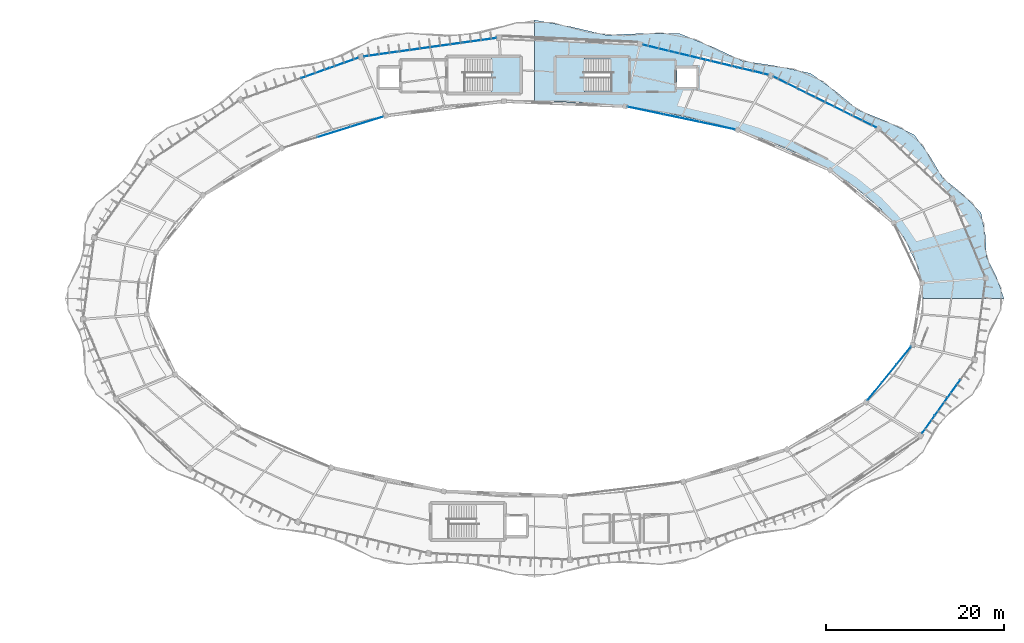
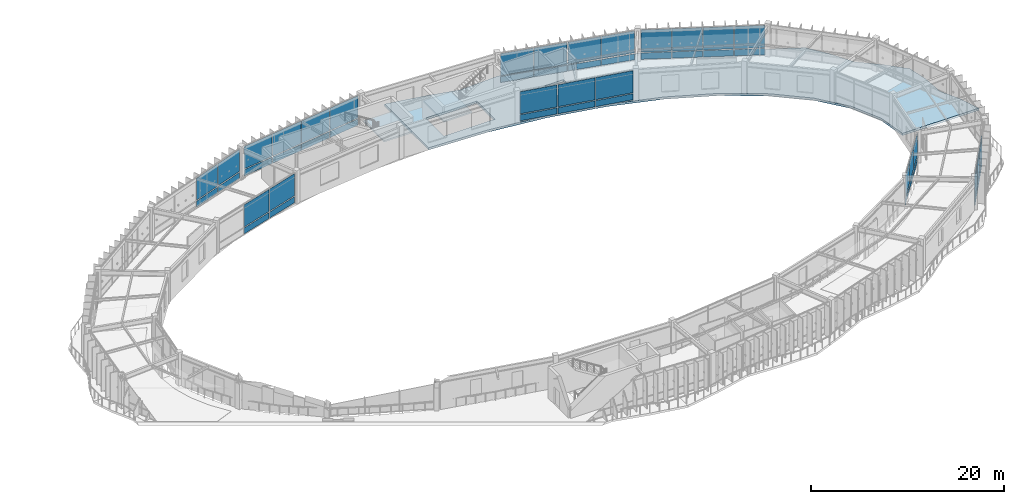
# One storey, part 64 of 83: 50 plates, 3 slabs, 10 elements without a shape of their own.
"""IFC4 building model written with IfcOpenShell, lengths in metres."""

import ifcopenshell
import ifcopenshell.guid

model = None  # the IFC model being written
_history = None  # IfcOwnerHistory: only IFC2X3 demands one
_inside = {}  # id of a spatial element -> (the spatial element, [elements in it])
_under = {}  # id of a project, library or spatial element -> (it, [spatial elements below it])
_declared = {}  # id of a project -> (the project, [libraries it declares])
_typed = {}  # id of a type object -> (the type object, [elements of that type])
_made_of = {}  # id of a material, layer set ... -> (it, [elements and type objects made of it])


def new_model(schema):
    """Start an empty IFC model of exactly this schema.

    Asked for "IFC4X3", IfcOpenShell would pick the latest addendum, in which some entities
    have other attributes; the version numbers below select the first issue.
    IFC2X3 requires an IfcOwnerHistory on every rooted entity: one is made here for all.
    """
    global model, _history
    if schema == "IFC4X3":
        model = ifcopenshell.file(schema_version=(4, 3, 0, 0))
    else:
        model = ifcopenshell.file(schema=schema)
    _inside.clear()
    _under.clear()
    _declared.clear()
    _typed.clear()
    _made_of.clear()
    _history = None
    if model.schema == "IFC2X3":
        org = make("IfcOrganization", Name="unknown")
        user = make(
            "IfcPersonAndOrganization",
            ThePerson=make("IfcPerson", FamilyName="unknown"),
            TheOrganization=org,
        )
        app = make(
            "IfcApplication",
            ApplicationDeveloper=org,
            Version="unknown",
            ApplicationFullName="unknown",
            ApplicationIdentifier="unknown",
        )
        _history = make(
            "IfcOwnerHistory",
            OwningUser=user,
            OwningApplication=app,
            ChangeAction="ADDED",
            CreationDate=0,
        )
    return model


def make(cls, **values):
    """One entity of the class cls with the attributes given. An attribute that is None is left unset."""
    return model.create_entity(
        cls, **{name: value for name, value in values.items() if value is not None}
    )


def rooted(cls, **values):
    """An entity with a GlobalId (a new one), such as an element, a storey or a relation."""
    return make(cls, GlobalId=ifcopenshell.guid.new(), OwnerHistory=_history, **values)


def si_unit(unit_type, name, prefix=None):
    """IfcSIUnit, for example si_unit("LENGTHUNIT", "METRE", prefix="MILLI")."""
    return make("IfcSIUnit", UnitType=unit_type, Prefix=prefix, Name=name)


def assignment(units):
    """IfcUnitAssignment: the units of a project."""
    return None if units is None else make("IfcUnitAssignment", Units=units)


def point(xyz):
    """IfcCartesianPoint."""
    return None if xyz is None else make("IfcCartesianPoint", Coordinates=xyz)


def direction(xyz):
    """IfcDirection."""
    return None if xyz is None else make("IfcDirection", DirectionRatios=xyz)


def frame(location, z_axis=None, x_axis=None):
    """IfcAxis2Placement3D, a coordinate frame: its origin and axes. An axis left out is left unset."""
    return make(
        "IfcAxis2Placement3D",
        Location=point(location),
        Axis=direction(z_axis),
        RefDirection=direction(x_axis),
    )


def frame_2d(location, x_axis=None):
    """IfcAxis2Placement2D, a coordinate frame in the plane: its origin and x axis."""
    return make(
        "IfcAxis2Placement2D", Location=point(location), RefDirection=direction(x_axis)
    )


def origin():
    """The frame at (0, 0, 0) with its axes left unset."""
    return frame((0.0, 0.0, 0.0))


def origin_2d():
    """The frame at (0, 0) in the plane with its x axis left unset."""
    return frame_2d((0.0, 0.0))


def place(relative_to, where):
    """IfcLocalPlacement: puts the frame where relative to a parent placement (None: the world)."""
    return make(
        "IfcLocalPlacement", PlacementRelTo=relative_to, RelativePlacement=where
    )


def context(
    kind, dimensions, precision=None, world=None, true_north=None, identifier=None
):
    """IfcGeometricRepresentationContext, for example the 3D "Model" context."""
    return make(
        "IfcGeometricRepresentationContext",
        ContextIdentifier=identifier,
        ContextType=kind,
        CoordinateSpaceDimension=dimensions,
        Precision=precision,
        WorldCoordinateSystem=world,
        TrueNorth=true_north,
    )


def subcontext(parent, identifier, kind, view, scale=None):
    """IfcGeometricRepresentationSubContext, for example "Body" below "Model"."""
    return make(
        "IfcGeometricRepresentationSubContext",
        ContextIdentifier=identifier,
        ContextType=kind,
        ParentContext=parent,
        TargetScale=scale,
        TargetView=view,
    )


def project(units=None, contexts=None):
    """IfcProject with its units and contexts."""
    return rooted(
        "IfcProject",
        Name="project",
        RepresentationContexts=contexts,
        UnitsInContext=assignment(units),
    )


def spatial(cls, under=None, at=None, **own):
    """A site, building, storey or space (cls), placed at a placement, below another one or the project."""
    s = rooted(cls, ObjectPlacement=at, **own)
    if under is not None:
        _under.setdefault(under.id(), (under, []))[1].append(s)
    return s


def polyline(points):
    """IfcPolyline through the points."""
    return make("IfcPolyline", Points=[point(p) for p in points])


def profile(cls, at=None, kind="AREA", **sizes):
    """A parametric profile (cls). Its sizes go by their IFC names, for example OverallWidth=200.0."""
    return make(cls, ProfileType=kind, Position=at, **sizes)


def rectangle(**sizes):
    """IfcRectangleProfileDef."""
    return profile("IfcRectangleProfileDef", **sizes)


def outline(outer, holes=None, kind="AREA"):
    """IfcArbitraryClosedProfileDef: a profile drawn as a closed curve; with holes, ...WithVoids."""
    if holes is None:
        return make("IfcArbitraryClosedProfileDef", ProfileType=kind, OuterCurve=outer)
    return make(
        "IfcArbitraryProfileDefWithVoids",
        ProfileType=kind,
        OuterCurve=outer,
        InnerCurves=holes,
    )


def extrude(swept, where, along, depth):
    """IfcExtrudedAreaSolid: the profile swept, set in the frame where, extruded along a direction by depth."""
    return make(
        "IfcExtrudedAreaSolid",
        SweptArea=swept,
        Position=where,
        ExtrudedDirection=direction(along),
        Depth=depth,
    )


def shape(context_of_items, identifier, shape_type, items):
    """IfcShapeRepresentation: the items that make up one representation, for example the "Body"."""
    return make(
        "IfcShapeRepresentation",
        ContextOfItems=context_of_items,
        RepresentationIdentifier=identifier,
        RepresentationType=shape_type,
        Items=items,
    )


def material(Name=None, Category=None):
    """IfcMaterial."""
    return make("IfcMaterial", Name=Name, Category=Category)


def layer(
    of_material, thickness, ventilated=None, Name=None, Category=None, Priority=None
):
    """IfcMaterialLayer: one layer of a wall or slab, of a material (None: an air gap)."""
    return make(
        "IfcMaterialLayer",
        Material=of_material,
        LayerThickness=thickness,
        IsVentilated=ventilated,
        Name=Name,
        Category=Category,
        Priority=Priority,
    )


def layer_set(layers, Name=None):
    """IfcMaterialLayerSet."""
    return make("IfcMaterialLayerSet", MaterialLayers=layers, LayerSetName=Name)


def made_of(thing, what):
    """Note that an element or type object is made of a material, layer set ...; save() writes the relation."""
    if what is not None:
        _made_of.setdefault(what.id(), (what, []))[1].append(thing)
    return thing


def type_object(cls, material=None, **own):
    """A type object (cls), such as IfcWallType, which elements share."""
    return made_of(rooted(cls, **own), material)


def element(
    cls,
    number,
    at=None,
    inside=None,
    cuts=None,
    type_object=None,
    material=None,
    context=None,
    identifier="Body",
    shape_type=None,
    held_by="IfcProductDefinitionShape",
    body=None,
    shapes=None,
    **own,
):
    """One element of the class cls, such as IfcWall. Its Tag is "e" and its number.

    at: its placement. inside: the storey or other place that contains it. cuts: it is an
    opening in that element (IfcRelVoidsElement). A single representation is given by context,
    identifier, shape_type and body (its items); several are given by shapes. held_by: the class
    of the entity that holds the representations. save() writes the other relations.
    """
    e = rooted(cls, Tag="e%d" % number, ObjectPlacement=at, **own)
    if body is not None:
        shapes = [shape(context, identifier, shape_type, body)]
    if shapes is not None:
        e.Representation = make(held_by, Representations=shapes)
    if inside is not None:
        _inside.setdefault(inside.id(), (inside, []))[1].append(e)
    if cuts is not None:
        rooted(
            "IfcRelVoidsElement", RelatingBuildingElement=cuts, RelatedOpeningElement=e
        )
    if type_object is not None:
        _typed.setdefault(type_object.id(), (type_object, []))[1].append(e)
    return made_of(e, material)


def aggregate(whole, parts):
    """IfcRelAggregates: a whole, such as a stair, and the parts it consists of."""
    return rooted("IfcRelAggregates", RelatingObject=whole, RelatedObjects=parts)


def save(model, path):
    """Write the relations noted so far, then the file.

    IfcRelAggregates (storeys below a building ...), IfcRelContainedInSpatialStructure (elements
    in a storey), IfcRelDefinesByType, IfcRelAssociatesMaterial and IfcRelDeclares: one each for
    every whole, place, type object, material and project.
    """
    for whole, parts in _under.values():
        aggregate(whole, parts)
    for where, things in _inside.values():
        rooted(
            "IfcRelContainedInSpatialStructure",
            RelatedElements=things,
            RelatingStructure=where,
        )
    for kind, things in _typed.values():
        rooted("IfcRelDefinesByType", RelatedObjects=things, RelatingType=kind)
    for what, things in _made_of.values():
        rooted("IfcRelAssociatesMaterial", RelatedObjects=things, RelatingMaterial=what)
    for by, libraries in _declared.values():
        rooted("IfcRelDeclares", RelatingContext=by, RelatedDefinitions=libraries)
    model.write(path)


model = new_model("IFC4")

# Units and contexts
model_context = context("Model", 3, precision=1e-05, world=origin(), true_north=direction((0.0, 1.0)))
body_context = subcontext(model_context, "Body", "Model", "MODEL_VIEW")
ifc_project = project(units=[si_unit("LENGTHUNIT", "METRE"), si_unit("AREAUNIT", "SQUARE_METRE"), si_unit("VOLUMEUNIT", "CUBIC_METRE"), si_unit("PLANEANGLEUNIT", "RADIAN"), si_unit("MASSUNIT", "GRAM", prefix="KILO"), si_unit("THERMODYNAMICTEMPERATUREUNIT", "KELVIN"), si_unit("POWERUNIT", "WATT")], contexts=[model_context])

# Site, building, storey
site_placement = place(None, origin())
site = spatial("IfcSite", under=ifc_project, at=site_placement, CompositionType="ELEMENT")
building_placement = place(site_placement, origin())
building = spatial("IfcBuilding", under=site, at=building_placement, Name="Darbajah Civic Hall", CompositionType="ELEMENT")
storey_placement = place(building_placement, frame((0.0, 0.0, 18.0)))
storey = spatial("IfcBuildingStorey", under=building, at=storey_placement, Name="L04", CompositionType="ELEMENT", Elevation=18.0)

# Curtain wall, plates
ifc_material_1 = material(Name="Anodised Bronze Aluminium and Low-E Glazing", Category="aluminium")
curtain_wall_type_1 = type_object("IfcCurtainWallType", Name="Unitised Curtain Wall CW-56 12900x3900", PredefinedType="USERDEFINED", material=ifc_material_1)
curtain_wall_1_placement = place(storey_placement, origin())
curtain_wall_1 = element("IfcCurtainWall", 1, at=curtain_wall_1_placement, inside=storey, type_object=curtain_wall_type_1, Name="L04 unitised curtain wall CW-V1O-L04-02", ObjectType="UNITISED CURTAIN WALL", PredefinedType="USERDEFINED")
ifc_material_2 = material(Name="Low-E Solar Control Double Glazing", Category="glass")
ifc_layer_1 = layer(ifc_material_2, 0.02392578125, Name="Low-E Solar Control Double Glazing")
ifc_layer_set_1 = layer_set([ifc_layer_1], Name="Low-E Solar Control Double Glazing")
plate_type_1 = type_object("IfcPlateType", Name="Solar Double Glazing 24mm", PredefinedType="CURTAIN_PANEL", material=ifc_layer_set_1)
plate_1_placement = place(storey_placement, frame((126.160888671875, 109.808349609375, 0.10009765625), z_axis=(0.0, 0.0, 1.0), x_axis=(-0.89656374724, 0.442914717678, 0.0)))
plate_1 = element("IfcPlate", 2, at=plate_1_placement, type_object=plate_type_1, Name="CW-V1O-L04-02 glazed panel 1.1", PredefinedType="CURTAIN_PANEL", context=body_context, shape_type="SweptSolid", body=[
    extrude(rectangle(XDim=3.167236328125, YDim=0.02392578125, at=origin_2d()), origin(), (0.0, 0.0, 1.0), 0.800048828125),
])
plate_2_placement = place(storey_placement, frame((126.160888671875, 109.808349609375, 1.0), z_axis=(0.0, 0.0, 1.0), x_axis=(-0.89656374724, 0.442914717678, 0.0)))
plate_2 = element("IfcPlate", 3, at=plate_2_placement, type_object=plate_type_1, Name="CW-V1O-L04-02 glazed panel 1.2", PredefinedType="CURTAIN_PANEL", context=body_context, shape_type="SweptSolid", body=[
    extrude(rectangle(XDim=3.167236328125, YDim=0.02392578125, at=origin_2d()), origin(), (0.0, 0.0, 1.0), 2.820068359375),
])
plate_3_placement = place(storey_placement, frame((123.262939453125, 111.239990234375, 0.10009765625), z_axis=(0.0, 0.0, 1.0), x_axis=(-0.89656374724, 0.442914717678, 0.0)))
plate_3 = element("IfcPlate", 4, at=plate_3_placement, type_object=plate_type_1, Name="CW-V1O-L04-02 glazed panel 2.1", PredefinedType="CURTAIN_PANEL", context=body_context, shape_type="SweptSolid", body=[
    extrude(rectangle(XDim=3.167236328125, YDim=0.02392578125, at=origin_2d()), origin(), (0.0, 0.0, 1.0), 0.800048828125),
])
plate_4_placement = place(storey_placement, frame((123.262939453125, 111.239990234375, 1.0), z_axis=(0.0, 0.0, 1.0), x_axis=(-0.89656374724, 0.442914717678, 0.0)))
plate_4 = element("IfcPlate", 5, at=plate_4_placement, type_object=plate_type_1, Name="CW-V1O-L04-02 glazed panel 2.2", PredefinedType="CURTAIN_PANEL", context=body_context, shape_type="SweptSolid", body=[
    extrude(rectangle(XDim=3.167236328125, YDim=0.02392578125, at=origin_2d()), origin(), (0.0, 0.0, 1.0), 2.820068359375),
])
plate_5_placement = place(storey_placement, frame((120.364990234375, 112.671630859375, 0.10009765625), z_axis=(0.0, 0.0, 1.0), x_axis=(-0.89656374724, 0.442914717678, 0.0)))
plate_5 = element("IfcPlate", 6, at=plate_5_placement, type_object=plate_type_1, Name="CW-V1O-L04-02 glazed panel 3.1", PredefinedType="CURTAIN_PANEL", context=body_context, shape_type="SweptSolid", body=[
    extrude(rectangle(XDim=3.167236328125, YDim=0.02392578125, at=origin_2d()), origin(), (0.0, 0.0, 1.0), 0.800048828125),
])
plate_6_placement = place(storey_placement, frame((120.364990234375, 112.671630859375, 1.0), z_axis=(0.0, 0.0, 1.0), x_axis=(-0.89656374724, 0.442914717678, 0.0)))
plate_6 = element("IfcPlate", 7, at=plate_6_placement, type_object=plate_type_1, Name="CW-V1O-L04-02 glazed panel 3.2", PredefinedType="CURTAIN_PANEL", context=body_context, shape_type="SweptSolid", body=[
    extrude(rectangle(XDim=3.167236328125, YDim=0.02392578125, at=origin_2d()), origin(), (0.0, 0.0, 1.0), 2.820068359375),
])
plate_7_placement = place(storey_placement, frame((117.46728515625, 114.103271484375, 0.10009765625), z_axis=(0.0, 0.0, 1.0), x_axis=(-0.89656374724, 0.442914717678, 0.0)))
plate_7 = element("IfcPlate", 8, at=plate_7_placement, type_object=plate_type_1, Name="CW-V1O-L04-02 glazed panel 4.1", PredefinedType="CURTAIN_PANEL", context=body_context, shape_type="SweptSolid", body=[
    extrude(rectangle(XDim=3.167236328125, YDim=0.02392578125, at=origin_2d()), origin(), (0.0, 0.0, 1.0), 0.800048828125),
])
plate_8_placement = place(storey_placement, frame((117.46728515625, 114.103271484375, 1.0), z_axis=(0.0, 0.0, 1.0), x_axis=(-0.89656374724, 0.442914717678, 0.0)))
plate_8 = element("IfcPlate", 9, at=plate_8_placement, type_object=plate_type_1, Name="CW-V1O-L04-02 glazed panel 4.2", PredefinedType="CURTAIN_PANEL", context=body_context, shape_type="SweptSolid", body=[
    extrude(rectangle(XDim=3.167236328125, YDim=0.02392578125, at=origin_2d()), origin(), (0.0, 0.0, 1.0), 2.820068359375),
])
aggregate(curtain_wall_1, [plate_1, plate_2, plate_3, plate_4, plate_5, plate_6, plate_7, plate_8])

curtain_wall_type_2 = type_object("IfcCurtainWallType", Name="Unitised Curtain Wall CW-66 15100x3900", PredefinedType="USERDEFINED", material=ifc_material_1)
curtain_wall_2_placement = place(storey_placement, origin())
curtain_wall_2 = element("IfcCurtainWall", 10, at=curtain_wall_2_placement, inside=storey, type_object=curtain_wall_type_2, Name="L04 unitised curtain wall CW-V1O-L04-05", ObjectType="UNITISED CURTAIN WALL", PredefinedType="USERDEFINED")
plate_9_placement = place(storey_placement, frame((82.934814453125, 118.90869140625, 0.10009765625), z_axis=(0.0, 0.0, 1.0), x_axis=(-0.990485459553, -0.137617420457, 0.0)))
plate_9 = element("IfcPlate", 11, at=plate_9_placement, type_object=plate_type_1, Name="CW-V1O-L04-05 glazed panel 1.1", PredefinedType="CURTAIN_PANEL", context=body_context, shape_type="SweptSolid", body=[
    extrude(rectangle(XDim=3.7001953125, YDim=0.02392578125, at=origin_2d()), origin(), (0.0, 0.0, 1.0), 0.800048828125),
])
plate_10_placement = place(storey_placement, frame((82.934814453125, 118.90869140625, 1.0), z_axis=(0.0, 0.0, 1.0), x_axis=(-0.990485459553, -0.137617420457, 0.0)))
plate_10 = element("IfcPlate", 12, at=plate_10_placement, type_object=plate_type_1, Name="CW-V1O-L04-05 glazed panel 1.2", PredefinedType="CURTAIN_PANEL", context=body_context, shape_type="SweptSolid", body=[
    extrude(rectangle(XDim=3.7001953125, YDim=0.02392578125, at=origin_2d()), origin(), (0.0, 0.0, 1.0), 2.820068359375),
])
plate_11_placement = place(storey_placement, frame((79.20556640625, 118.390625, 0.10009765625), z_axis=(0.0, 0.0, 1.0), x_axis=(-0.990485459553, -0.137617420457, 0.0)))
plate_11 = element("IfcPlate", 13, at=plate_11_placement, type_object=plate_type_1, Name="CW-V1O-L04-05 glazed panel 2.1", PredefinedType="CURTAIN_PANEL", context=body_context, shape_type="SweptSolid", body=[
    extrude(rectangle(XDim=3.7001953125, YDim=0.02392578125, at=origin_2d()), origin(), (0.0, 0.0, 1.0), 0.800048828125),
])
plate_12_placement = place(storey_placement, frame((79.20556640625, 118.390625, 1.0), z_axis=(0.0, 0.0, 1.0), x_axis=(-0.990485459553, -0.137617420457, 0.0)))
plate_12 = element("IfcPlate", 14, at=plate_12_placement, type_object=plate_type_1, Name="CW-V1O-L04-05 glazed panel 2.2", PredefinedType="CURTAIN_PANEL", context=body_context, shape_type="SweptSolid", body=[
    extrude(rectangle(XDim=3.7001953125, YDim=0.02392578125, at=origin_2d()), origin(), (0.0, 0.0, 1.0), 2.820068359375),
])
plate_13_placement = place(storey_placement, frame((75.476318359375, 117.872802734375, 0.10009765625), z_axis=(0.0, 0.0, 1.0), x_axis=(-0.990485459553, -0.137617420457, 0.0)))
plate_13 = element("IfcPlate", 15, at=plate_13_placement, type_object=plate_type_1, Name="CW-V1O-L04-05 glazed panel 3.1", PredefinedType="CURTAIN_PANEL", context=body_context, shape_type="SweptSolid", body=[
    extrude(rectangle(XDim=3.7001953125, YDim=0.02392578125, at=origin_2d()), origin(), (0.0, 0.0, 1.0), 0.800048828125),
])
plate_14_placement = place(storey_placement, frame((75.476318359375, 117.872802734375, 1.0), z_axis=(0.0, 0.0, 1.0), x_axis=(-0.990485459553, -0.137617420457, 0.0)))
plate_14 = element("IfcPlate", 16, at=plate_14_placement, type_object=plate_type_1, Name="CW-V1O-L04-05 glazed panel 3.2", PredefinedType="CURTAIN_PANEL", context=body_context, shape_type="SweptSolid", body=[
    extrude(rectangle(XDim=3.7001953125, YDim=0.02392578125, at=origin_2d()), origin(), (0.0, 0.0, 1.0), 2.820068359375),
])
plate_15_placement = place(storey_placement, frame((71.746826171875, 117.35498046875, 0.10009765625), z_axis=(0.0, 0.0, 1.0), x_axis=(-0.990485459553, -0.137617420457, 0.0)))
plate_15 = element("IfcPlate", 17, at=plate_15_placement, type_object=plate_type_1, Name="CW-V1O-L04-05 glazed panel 4.1", PredefinedType="CURTAIN_PANEL", context=body_context, shape_type="SweptSolid", body=[
    extrude(rectangle(XDim=3.7001953125, YDim=0.02392578125, at=origin_2d()), origin(), (0.0, 0.0, 1.0), 0.800048828125),
])
plate_16_placement = place(storey_placement, frame((71.746826171875, 117.35498046875, 1.0), z_axis=(0.0, 0.0, 1.0), x_axis=(-0.990485459553, -0.137617420457, 0.0)))
plate_16 = element("IfcPlate", 18, at=plate_16_placement, type_object=plate_type_1, Name="CW-V1O-L04-05 glazed panel 4.2", PredefinedType="CURTAIN_PANEL", context=body_context, shape_type="SweptSolid", body=[
    extrude(rectangle(XDim=3.7001953125, YDim=0.02392578125, at=origin_2d()), origin(), (0.0, 0.0, 1.0), 2.820068359375),
])
aggregate(curtain_wall_2, [plate_9, plate_10, plate_11, plate_12, plate_13, plate_14, plate_15, plate_16])

curtain_wall_type_3 = type_object("IfcCurtainWallType", Name="Unitised Curtain Wall CW-65 12400x3900", PredefinedType="USERDEFINED", material=ifc_material_1)
curtain_wall_3_placement = place(storey_placement, origin())
curtain_wall_3 = element("IfcCurtainWall", 19, at=curtain_wall_3_placement, inside=storey, type_object=curtain_wall_type_3, Name="L04 unitised curtain wall CW-V1I-L04-03", ObjectType="UNITISED CURTAIN WALL", PredefinedType="USERDEFINED")
ifc_layer_2 = layer(ifc_material_2, 0.028076171875, Name="Low-E Solar Control Double Glazing")
ifc_layer_set_2 = layer_set([ifc_layer_2], Name="Low-E Solar Control Double Glazing")
plate_type_2 = type_object("IfcPlateType", Name="Solar Double Glazing 28mm", PredefinedType="CURTAIN_PANEL", material=ifc_layer_set_2)
plate_17_placement = place(storey_placement, frame((109.694580078125, 109.297119140625, 0.119873046875), z_axis=(0.0, 0.0, 1.0), x_axis=(-0.978472980779, 0.206374964291, 0.0)))
plate_17 = element("IfcPlate", 20, at=plate_17_placement, type_object=plate_type_2, Name="CW-V1I-L04-03 glazed panel 1.1", PredefinedType="CURTAIN_PANEL", context=body_context, shape_type="SweptSolid", body=[
    extrude(rectangle(XDim=4.058349609375, YDim=0.028076171875, at=origin_2d()), origin(), (0.0, 0.0, 1.0), 0.77001953125),
])
plate_18_placement = place(storey_placement, frame((109.694580078125, 109.297119140625, 1.010009765625), z_axis=(0.0, 0.0, 1.0), x_axis=(-0.978472980779, 0.206374964291, 0.0)))
plate_18 = element("IfcPlate", 21, at=plate_18_placement, type_object=plate_type_2, Name="CW-V1I-L04-03 glazed panel 1.2", PredefinedType="CURTAIN_PANEL", context=body_context, shape_type="SweptSolid", body=[
    extrude(rectangle(XDim=4.058349609375, YDim=0.028076171875, at=origin_2d()), origin(), (0.0, 0.0, 1.0), 2.7900390625),
])
plate_19_placement = place(storey_placement, frame((105.655029296875, 110.148681640625, 0.119873046875), z_axis=(0.0, 0.0, 1.0), x_axis=(-0.978472980779, 0.206374964291, 0.0)))
plate_19 = element("IfcPlate", 22, at=plate_19_placement, type_object=plate_type_2, Name="CW-V1I-L04-03 glazed panel 2.1", PredefinedType="CURTAIN_PANEL", context=body_context, shape_type="SweptSolid", body=[
    extrude(rectangle(XDim=4.058349609375, YDim=0.028076171875, at=origin_2d()), origin(), (0.0, 0.0, 1.0), 0.77001953125),
])
plate_20_placement = place(storey_placement, frame((105.655029296875, 110.148681640625, 1.010009765625), z_axis=(0.0, 0.0, 1.0), x_axis=(-0.978472980779, 0.206374964291, 0.0)))
plate_20 = element("IfcPlate", 23, at=plate_20_placement, type_object=plate_type_2, Name="CW-V1I-L04-03 glazed panel 2.2", PredefinedType="CURTAIN_PANEL", context=body_context, shape_type="SweptSolid", body=[
    extrude(rectangle(XDim=4.058349609375, YDim=0.028076171875, at=origin_2d()), origin(), (0.0, 0.0, 1.0), 2.7900390625),
])
plate_21_placement = place(storey_placement, frame((101.61572265625, 111.000732421875, 0.119873046875), z_axis=(0.0, 0.0, 1.0), x_axis=(-0.978472980779, 0.206374964291, 0.0)))
plate_21 = element("IfcPlate", 24, at=plate_21_placement, type_object=plate_type_2, Name="CW-V1I-L04-03 glazed panel 3.1", PredefinedType="CURTAIN_PANEL", context=body_context, shape_type="SweptSolid", body=[
    extrude(rectangle(XDim=4.058349609375, YDim=0.028076171875, at=origin_2d()), origin(), (0.0, 0.0, 1.0), 0.77001953125),
])
plate_22_placement = place(storey_placement, frame((101.61572265625, 111.000732421875, 1.010009765625), z_axis=(0.0, 0.0, 1.0), x_axis=(-0.978472980779, 0.206374964291, 0.0)))
plate_22 = element("IfcPlate", 25, at=plate_22_placement, type_object=plate_type_2, Name="CW-V1I-L04-03 glazed panel 3.2", PredefinedType="CURTAIN_PANEL", context=body_context, shape_type="SweptSolid", body=[
    extrude(rectangle(XDim=4.058349609375, YDim=0.028076171875, at=origin_2d()), origin(), (0.0, 0.0, 1.0), 2.7900390625),
])
aggregate(curtain_wall_3, [plate_17, plate_18, plate_19, plate_20, plate_21, plate_22])

curtain_wall_type_4 = type_object("IfcCurtainWallType", Name="Unitised Curtain Wall CW-67 11700x3900", PredefinedType="USERDEFINED", material=ifc_material_1)
curtain_wall_4_placement = place(storey_placement, origin())
curtain_wall_4 = element("IfcCurtainWall", 26, at=curtain_wall_4_placement, inside=storey, type_object=curtain_wall_type_4, Name="L04 unitised curtain wall CW-V1I-L04-06", ObjectType="UNITISED CURTAIN WALL", PredefinedType="USERDEFINED")
plate_23_placement = place(storey_placement, frame((70.21484375, 109.739990234375, 0.119873046875), z_axis=(0.0, 0.0, 1.0), x_axis=(-0.954604963513, -0.297874744877, 0.0)))
plate_23 = element("IfcPlate", 27, at=plate_23_placement, type_object=plate_type_2, Name="CW-V1I-L04-06 glazed panel 1.1", PredefinedType="CURTAIN_PANEL", context=body_context, shape_type="SweptSolid", body=[
    extrude(rectangle(XDim=3.8251953125, YDim=0.028076171875, at=origin_2d()), origin(), (0.0, 0.0, 1.0), 0.77001953125),
])
plate_24_placement = place(storey_placement, frame((70.21484375, 109.739990234375, 1.010009765625), z_axis=(0.0, 0.0, 1.0), x_axis=(-0.954604963513, -0.297874744877, 0.0)))
plate_24 = element("IfcPlate", 28, at=plate_24_placement, type_object=plate_type_2, Name="CW-V1I-L04-06 glazed panel 1.2", PredefinedType="CURTAIN_PANEL", context=body_context, shape_type="SweptSolid", body=[
    extrude(rectangle(XDim=3.8251953125, YDim=0.028076171875, at=origin_2d()), origin(), (0.0, 0.0, 1.0), 2.7900390625),
])
plate_25_placement = place(storey_placement, frame((66.496337890625, 108.579833984375, 0.119873046875), z_axis=(0.0, 0.0, 1.0), x_axis=(-0.954604963513, -0.297874744877, 0.0)))
plate_25 = element("IfcPlate", 29, at=plate_25_placement, type_object=plate_type_2, Name="CW-V1I-L04-06 glazed panel 2.1", PredefinedType="CURTAIN_PANEL", context=body_context, shape_type="SweptSolid", body=[
    extrude(rectangle(XDim=3.8251953125, YDim=0.028076171875, at=origin_2d()), origin(), (0.0, 0.0, 1.0), 0.77001953125),
])
plate_26_placement = place(storey_placement, frame((66.496337890625, 108.579833984375, 1.010009765625), z_axis=(0.0, 0.0, 1.0), x_axis=(-0.954604963513, -0.297874744877, 0.0)))
plate_26 = element("IfcPlate", 30, at=plate_26_placement, type_object=plate_type_2, Name="CW-V1I-L04-06 glazed panel 2.2", PredefinedType="CURTAIN_PANEL", context=body_context, shape_type="SweptSolid", body=[
    extrude(rectangle(XDim=3.8251953125, YDim=0.028076171875, at=origin_2d()), origin(), (0.0, 0.0, 1.0), 2.7900390625),
])
aggregate(curtain_wall_4, [plate_23, plate_24, plate_25, plate_26])

curtain_wall_type_5 = type_object("IfcCurtainWallType", Name="Unitised Curtain Wall CW-75 7800x3900", PredefinedType="USERDEFINED", material=ifc_material_1)
curtain_wall_5_placement = place(storey_placement, origin())
curtain_wall_5 = element("IfcCurtainWall", 31, at=curtain_wall_5_placement, inside=storey, type_object=curtain_wall_type_5, Name="L04 unitised curtain wall CW-V1I-L04-18", ObjectType="UNITISED CURTAIN WALL", PredefinedType="USERDEFINED")
plate_27_placement = place(storey_placement, frame((127.43603515625, 79.36572265625, 0.119873046875), z_axis=(0.0, 0.0, 1.0), x_axis=(0.63108205791, 0.775716079622, 0.0)))
plate_27 = element("IfcPlate", 32, at=plate_27_placement, type_object=plate_type_2, Name="CW-V1I-L04-18 glazed panel 1.1", PredefinedType="CURTAIN_PANEL", context=body_context, shape_type="SweptSolid", body=[
    extrude(rectangle(XDim=2.51513671875, YDim=0.028076171875, at=origin_2d()), origin(), (0.0, 0.0, 1.0), 0.77001953125),
])
plate_28_placement = place(storey_placement, frame((127.43603515625, 79.36572265625, 1.010009765625), z_axis=(0.0, 0.0, 1.0), x_axis=(0.63108205791, 0.775716079622, 0.0)))
plate_28 = element("IfcPlate", 33, at=plate_28_placement, type_object=plate_type_2, Name="CW-V1I-L04-18 glazed panel 1.2", PredefinedType="CURTAIN_PANEL", context=body_context, shape_type="SweptSolid", body=[
    extrude(rectangle(XDim=2.51513671875, YDim=0.028076171875, at=origin_2d()), origin(), (0.0, 0.0, 1.0), 2.7900390625),
])
plate_29_placement = place(storey_placement, frame((129.067626953125, 81.371337890625, 0.119873046875), z_axis=(0.0, 0.0, 1.0), x_axis=(0.63108205791, 0.775716079622, 0.0)))
plate_29 = element("IfcPlate", 34, at=plate_29_placement, type_object=plate_type_2, Name="CW-V1I-L04-18 glazed panel 2.1", PredefinedType="CURTAIN_PANEL", context=body_context, shape_type="SweptSolid", body=[
    extrude(rectangle(XDim=2.51513671875, YDim=0.028076171875, at=origin_2d()), origin(), (0.0, 0.0, 1.0), 0.77001953125),
])
plate_30_placement = place(storey_placement, frame((129.067626953125, 81.371337890625, 1.010009765625), z_axis=(0.0, 0.0, 1.0), x_axis=(0.63108205791, 0.775716079622, 0.0)))
plate_30 = element("IfcPlate", 35, at=plate_30_placement, type_object=plate_type_2, Name="CW-V1I-L04-18 glazed panel 2.2", PredefinedType="CURTAIN_PANEL", context=body_context, shape_type="SweptSolid", body=[
    extrude(rectangle(XDim=2.51513671875, YDim=0.028076171875, at=origin_2d()), origin(), (0.0, 0.0, 1.0), 2.7900390625),
])
plate_31_placement = place(storey_placement, frame((130.69921875, 83.376708984375, 0.119873046875), z_axis=(0.0, 0.0, 1.0), x_axis=(0.63108205791, 0.775716079622, 0.0)))
plate_31 = element("IfcPlate", 36, at=plate_31_placement, type_object=plate_type_2, Name="CW-V1I-L04-18 glazed panel 3.1", PredefinedType="CURTAIN_PANEL", context=body_context, shape_type="SweptSolid", body=[
    extrude(rectangle(XDim=2.51513671875, YDim=0.028076171875, at=origin_2d()), origin(), (0.0, 0.0, 1.0), 0.77001953125),
])
plate_32_placement = place(storey_placement, frame((130.69921875, 83.376708984375, 1.010009765625), z_axis=(0.0, 0.0, 1.0), x_axis=(0.63108205791, 0.775716079622, 0.0)))
plate_32 = element("IfcPlate", 37, at=plate_32_placement, type_object=plate_type_2, Name="CW-V1I-L04-18 glazed panel 3.2", PredefinedType="CURTAIN_PANEL", context=body_context, shape_type="SweptSolid", body=[
    extrude(rectangle(XDim=2.51513671875, YDim=0.028076171875, at=origin_2d()), origin(), (0.0, 0.0, 1.0), 2.7900390625),
])
aggregate(curtain_wall_5, [plate_27, plate_28, plate_29, plate_30, plate_31, plate_32])

curtain_wall_type_6 = type_object("IfcCurtainWallType", Name="Unitised Curtain Wall CW-64 14600x3900", PredefinedType="USERDEFINED", material=ifc_material_1)
curtain_wall_6_placement = place(storey_placement, origin())
curtain_wall_6 = element("IfcCurtainWall", 38, at=curtain_wall_6_placement, inside=storey, type_object=curtain_wall_type_6, Name="L04 unitised curtain wall CW-V1O-L04-03", ObjectType="UNITISED CURTAIN WALL", PredefinedType="USERDEFINED")
ifc_layer_3 = layer(ifc_material_2, 0.031982421875, Name="Low-E Solar Control Double Glazing")
ifc_layer_set_3 = layer_set([ifc_layer_3], Name="Low-E Solar Control Double Glazing")
plate_type_3 = type_object("IfcPlateType", Name="Solar Double Glazing 32mm", PredefinedType="CURTAIN_PANEL", material=ifc_layer_set_3)
plate_33_placement = place(storey_placement, frame((113.684326171875, 115.447265625, 0.14013671875), z_axis=(0.0, 0.0, 1.0), x_axis=(-0.972492018808, 0.232936200179, 0.0)))
plate_33 = element("IfcPlate", 39, at=plate_33_placement, type_object=plate_type_3, Name="CW-V1O-L04-03 glazed panel 1.1", PredefinedType="CURTAIN_PANEL", context=body_context, shape_type="SweptSolid", body=[
    extrude(rectangle(XDim=3.563720703125, YDim=0.031982421875, at=origin_2d()), origin(), (0.0, 0.0, 1.0), 0.739990234375),
])
plate_34_placement = place(storey_placement, frame((113.684326171875, 115.447265625, 1.02001953125), z_axis=(0.0, 0.0, 1.0), x_axis=(-0.972492018808, 0.232936200179, 0.0)))
plate_34 = element("IfcPlate", 40, at=plate_34_placement, type_object=plate_type_3, Name="CW-V1O-L04-03 glazed panel 1.2", PredefinedType="CURTAIN_PANEL", context=body_context, shape_type="SweptSolid", body=[
    extrude(rectangle(XDim=3.563720703125, YDim=0.031982421875, at=origin_2d()), origin(), (0.0, 0.0, 1.0), 2.760009765625),
])
plate_35_placement = place(storey_placement, frame((110.145751953125, 116.294921875, 0.14013671875), z_axis=(0.0, 0.0, 1.0), x_axis=(-0.972492018808, 0.232936200179, 0.0)))
plate_35 = element("IfcPlate", 41, at=plate_35_placement, type_object=plate_type_3, Name="CW-V1O-L04-03 glazed panel 2.1", PredefinedType="CURTAIN_PANEL", context=body_context, shape_type="SweptSolid", body=[
    extrude(rectangle(XDim=3.563720703125, YDim=0.031982421875, at=origin_2d()), origin(), (0.0, 0.0, 1.0), 0.739990234375),
])
plate_36_placement = place(storey_placement, frame((110.145751953125, 116.294921875, 1.02001953125), z_axis=(0.0, 0.0, 1.0), x_axis=(-0.972492018808, 0.232936200179, 0.0)))
plate_36 = element("IfcPlate", 42, at=plate_36_placement, type_object=plate_type_3, Name="CW-V1O-L04-03 glazed panel 2.2", PredefinedType="CURTAIN_PANEL", context=body_context, shape_type="SweptSolid", body=[
    extrude(rectangle(XDim=3.563720703125, YDim=0.031982421875, at=origin_2d()), origin(), (0.0, 0.0, 1.0), 2.760009765625),
])
plate_37_placement = place(storey_placement, frame((106.607177734375, 117.142822265625, 0.14013671875), z_axis=(0.0, 0.0, 1.0), x_axis=(-0.972492018808, 0.232936200179, 0.0)))
plate_37 = element("IfcPlate", 43, at=plate_37_placement, type_object=plate_type_3, Name="CW-V1O-L04-03 glazed panel 3.1", PredefinedType="CURTAIN_PANEL", context=body_context, shape_type="SweptSolid", body=[
    extrude(rectangle(XDim=3.563720703125, YDim=0.031982421875, at=origin_2d()), origin(), (0.0, 0.0, 1.0), 0.739990234375),
])
plate_38_placement = place(storey_placement, frame((106.607177734375, 117.142822265625, 1.02001953125), z_axis=(0.0, 0.0, 1.0), x_axis=(-0.972492018808, 0.232936200179, 0.0)))
plate_38 = element("IfcPlate", 44, at=plate_38_placement, type_object=plate_type_3, Name="CW-V1O-L04-03 glazed panel 3.2", PredefinedType="CURTAIN_PANEL", context=body_context, shape_type="SweptSolid", body=[
    extrude(rectangle(XDim=3.563720703125, YDim=0.031982421875, at=origin_2d()), origin(), (0.0, 0.0, 1.0), 2.760009765625),
])
plate_39_placement = place(storey_placement, frame((103.068603515625, 117.990478515625, 0.14013671875), z_axis=(0.0, 0.0, 1.0), x_axis=(-0.972492018808, 0.232936200179, 0.0)))
plate_39 = element("IfcPlate", 45, at=plate_39_placement, type_object=plate_type_3, Name="CW-V1O-L04-03 glazed panel 4.1", PredefinedType="CURTAIN_PANEL", context=body_context, shape_type="SweptSolid", body=[
    extrude(rectangle(XDim=3.563720703125, YDim=0.031982421875, at=origin_2d()), origin(), (0.0, 0.0, 1.0), 0.739990234375),
])
plate_40_placement = place(storey_placement, frame((103.068603515625, 117.990478515625, 1.02001953125), z_axis=(0.0, 0.0, 1.0), x_axis=(-0.972492018808, 0.232936200179, 0.0)))
plate_40 = element("IfcPlate", 46, at=plate_40_placement, type_object=plate_type_3, Name="CW-V1O-L04-03 glazed panel 4.2", PredefinedType="CURTAIN_PANEL", context=body_context, shape_type="SweptSolid", body=[
    extrude(rectangle(XDim=3.563720703125, YDim=0.031982421875, at=origin_2d()), origin(), (0.0, 0.0, 1.0), 2.760009765625),
])
aggregate(curtain_wall_6, [plate_33, plate_34, plate_35, plate_36, plate_37, plate_38, plate_39, plate_40])

curtain_wall_type_7 = type_object("IfcCurtainWallType", Name="Unitised Curtain Wall CW-57 13800x3900", PredefinedType="USERDEFINED", material=ifc_material_1)
curtain_wall_7_placement = place(storey_placement, origin())
curtain_wall_7 = element("IfcCurtainWall", 47, at=curtain_wall_7_placement, inside=storey, type_object=curtain_wall_type_7, Name="L04 unitised curtain wall CW-V1O-L04-06", ObjectType="UNITISED CURTAIN WALL", PredefinedType="USERDEFINED")
plate_41_placement = place(storey_placement, frame((67.6689453125, 116.3759765625, 0.14013671875), z_axis=(0.0, 0.0, 1.0), x_axis=(-0.94252491309, -0.334135882844, 0.0)))
plate_41 = element("IfcPlate", 48, at=plate_41_placement, type_object=plate_type_3, Name="CW-V1O-L04-06 glazed panel 1.1", PredefinedType="CURTAIN_PANEL", context=body_context, shape_type="SweptSolid", body=[
    extrude(rectangle(XDim=3.382568359375, YDim=0.031982421875, at=origin_2d()), origin(), (0.0, 0.0, 1.0), 0.739990234375),
])
plate_42_placement = place(storey_placement, frame((67.6689453125, 116.3759765625, 1.02001953125), z_axis=(0.0, 0.0, 1.0), x_axis=(-0.94252491309, -0.334135882844, 0.0)))
plate_42 = element("IfcPlate", 49, at=plate_42_placement, type_object=plate_type_3, Name="CW-V1O-L04-06 glazed panel 1.2", PredefinedType="CURTAIN_PANEL", context=body_context, shape_type="SweptSolid", body=[
    extrude(rectangle(XDim=3.382568359375, YDim=0.031982421875, at=origin_2d()), origin(), (0.0, 0.0, 1.0), 2.760009765625),
])
plate_43_placement = place(storey_placement, frame((64.409912109375, 115.220703125, 0.14013671875), z_axis=(0.0, 0.0, 1.0), x_axis=(-0.94252491309, -0.334135882844, 0.0)))
plate_43 = element("IfcPlate", 50, at=plate_43_placement, type_object=plate_type_3, Name="CW-V1O-L04-06 glazed panel 2.1", PredefinedType="CURTAIN_PANEL", context=body_context, shape_type="SweptSolid", body=[
    extrude(rectangle(XDim=3.382568359375, YDim=0.031982421875, at=origin_2d()), origin(), (0.0, 0.0, 1.0), 0.739990234375),
])
plate_44_placement = place(storey_placement, frame((64.409912109375, 115.220703125, 1.02001953125), z_axis=(0.0, 0.0, 1.0), x_axis=(-0.94252491309, -0.334135882844, 0.0)))
plate_44 = element("IfcPlate", 51, at=plate_44_placement, type_object=plate_type_3, Name="CW-V1O-L04-06 glazed panel 2.2", PredefinedType="CURTAIN_PANEL", context=body_context, shape_type="SweptSolid", body=[
    extrude(rectangle(XDim=3.382568359375, YDim=0.031982421875, at=origin_2d()), origin(), (0.0, 0.0, 1.0), 2.760009765625),
])
aggregate(curtain_wall_7, [plate_41, plate_42, plate_43, plate_44])

curtain_wall_type_8 = type_object("IfcCurtainWallType", Name="Unitised Curtain Wall CW-74 9900x3900", PredefinedType="USERDEFINED", material=ifc_material_1)
curtain_wall_8_placement = place(storey_placement, origin())
curtain_wall_8 = element("IfcCurtainWall", 52, at=curtain_wall_8_placement, inside=storey, type_object=curtain_wall_type_8, Name="L04 unitised curtain wall CW-V1O-L04-18", ObjectType="UNITISED CURTAIN WALL", PredefinedType="USERDEFINED")
plate_45_placement = place(storey_placement, frame((133.479736328125, 75.63623046875, 0.14013671875), z_axis=(0.0, 0.0, 1.0), x_axis=(0.582264874145, 0.812999149039, 0.0)))
plate_45 = element("IfcPlate", 53, at=plate_45_placement, type_object=plate_type_3, Name="CW-V1O-L04-18 glazed panel 1.1", PredefinedType="CURTAIN_PANEL", context=body_context, shape_type="SweptSolid", body=[
    extrude(rectangle(XDim=2.39599609375, YDim=0.031982421875, at=origin_2d()), origin(), (0.0, 0.0, 1.0), 0.739990234375),
])
plate_46_placement = place(storey_placement, frame((133.479736328125, 75.63623046875, 1.02001953125), z_axis=(0.0, 0.0, 1.0), x_axis=(0.582264874145, 0.812999149039, 0.0)))
plate_46 = element("IfcPlate", 54, at=plate_46_placement, type_object=plate_type_3, Name="CW-V1O-L04-18 glazed panel 1.2", PredefinedType="CURTAIN_PANEL", context=body_context, shape_type="SweptSolid", body=[
    extrude(rectangle(XDim=2.39599609375, YDim=0.031982421875, at=origin_2d()), origin(), (0.0, 0.0, 1.0), 2.760009765625),
])
plate_47_placement = place(storey_placement, frame((134.91845703125, 77.6455078125, 0.14013671875), z_axis=(0.0, 0.0, 1.0), x_axis=(0.582264874145, 0.812999149039, 0.0)))
plate_47 = element("IfcPlate", 55, at=plate_47_placement, type_object=plate_type_3, Name="CW-V1O-L04-18 glazed panel 2.1", PredefinedType="CURTAIN_PANEL", context=body_context, shape_type="SweptSolid", body=[
    extrude(rectangle(XDim=2.39599609375, YDim=0.031982421875, at=origin_2d()), origin(), (0.0, 0.0, 1.0), 0.739990234375),
])
plate_48_placement = place(storey_placement, frame((134.91845703125, 77.6455078125, 1.02001953125), z_axis=(0.0, 0.0, 1.0), x_axis=(0.582264874145, 0.812999149039, 0.0)))
plate_48 = element("IfcPlate", 56, at=plate_48_placement, type_object=plate_type_3, Name="CW-V1O-L04-18 glazed panel 2.2", PredefinedType="CURTAIN_PANEL", context=body_context, shape_type="SweptSolid", body=[
    extrude(rectangle(XDim=2.39599609375, YDim=0.031982421875, at=origin_2d()), origin(), (0.0, 0.0, 1.0), 2.760009765625),
])
plate_49_placement = place(storey_placement, frame((136.357177734375, 79.654296875, 0.14013671875), z_axis=(0.0, 0.0, 1.0), x_axis=(0.582264874145, 0.812999149039, 0.0)))
plate_49 = element("IfcPlate", 57, at=plate_49_placement, type_object=plate_type_3, Name="CW-V1O-L04-18 glazed panel 3.1", PredefinedType="CURTAIN_PANEL", context=body_context, shape_type="SweptSolid", body=[
    extrude(rectangle(XDim=2.39599609375, YDim=0.031982421875, at=origin_2d()), origin(), (0.0, 0.0, 1.0), 0.739990234375),
])
plate_50_placement = place(storey_placement, frame((136.357177734375, 79.654296875, 1.02001953125), z_axis=(0.0, 0.0, 1.0), x_axis=(0.582264874145, 0.812999149039, 0.0)))
plate_50 = element("IfcPlate", 58, at=plate_50_placement, type_object=plate_type_3, Name="CW-V1O-L04-18 glazed panel 3.2", PredefinedType="CURTAIN_PANEL", context=body_context, shape_type="SweptSolid", body=[
    extrude(rectangle(XDim=2.39599609375, YDim=0.031982421875, at=origin_2d()), origin(), (0.0, 0.0, 1.0), 2.760009765625),
])
aggregate(curtain_wall_8, [plate_45, plate_46, plate_47, plate_48, plate_49, plate_50])

# Stair, slab
ifc_material_3 = material(Name="Concrete C45/55", Category="concrete")
stair_type = type_object("IfcStairType", Name="Half Turn Stair 1650x4200", PredefinedType="HALF_TURN_STAIR", material=ifc_material_3)
stair_1_placement = place(storey_placement, origin())
stair_1 = element("IfcStair", 59, at=stair_1_placement, inside=storey, type_object=stair_type, Name="L04 enclosed exit stair ST01", PredefinedType="HALF_TURN_STAIR")
ifc_layer_4 = layer(ifc_material_3, 0.199951171875, Name="Concrete C45/55")
ifc_layer_set_4 = layer_set([ifc_layer_4], Name="Concrete C45/55")
slab_type_1 = type_object("IfcSlabType", Name="Stair Landing Slab 200mm", PredefinedType="LANDING", material=ifc_layer_set_4)
slab_1_placement = place(storey_placement, frame((0.0, 0.0, 1.89990234375)))
slab_1 = element("IfcSlab", 60, at=slab_1_placement, type_object=slab_type_1, Name="ST01 L04 half-landing", PredefinedType="LANDING", context=body_context, shape_type="SweptSolid", body=[
    extrude(outline(polyline([(84.239990234375, 112.89990234375), (87.60009765625, 112.89990234375), (87.60009765625, 117.10009765625), (84.239990234375, 117.10009765625), (84.239990234375, 112.89990234375)])), origin(), (0.0, 0.0, 1.0), 0.2001953125),
])
aggregate(stair_1, [slab_1])

stair_2_placement = place(storey_placement, origin())
stair_2 = element("IfcStair", 61, at=stair_2_placement, inside=storey, type_object=stair_type, Name="L04 enclosed exit stair ST02", PredefinedType="HALF_TURN_STAIR")
slab_2_placement = place(storey_placement, frame((0.0, 0.0, 1.89990234375)))
slab_2 = element("IfcSlab", 62, at=slab_2_placement, type_object=slab_type_1, Name="ST02 L04 half-landing", PredefinedType="LANDING", context=body_context, shape_type="SweptSolid", body=[
    extrude(outline(polyline([(91.39990234375, 112.89990234375), (94.760009765625, 112.89990234375), (94.760009765625, 117.10009765625), (91.39990234375, 117.10009765625), (91.39990234375, 112.89990234375)])), origin(), (0.0, 0.0, 1.0), 0.2001953125),
])
aggregate(stair_2, [slab_2])

# Slab
ifc_layer_5 = layer(ifc_material_3, 0.280029296875, Name="Concrete C45/55")
ifc_layer_set_5 = layer_set([ifc_layer_5], Name="Concrete C45/55")
slab_type_2 = type_object("IfcSlabType", Name="Structural Floor Slab 280mm", PredefinedType="FLOOR", material=ifc_layer_set_5)
slab_3_placement = place(storey_placement, frame((0.0, 0.0, -0.280029296875)))
element("IfcSlab", 63, at=slab_3_placement, inside=storey, type_object=slab_type_2, Name="L04 Oval Administration Ring NE floor slab", PredefinedType="FLOOR", context=body_context, shape_type="SweptSolid", body=[
    extrude(outline(polyline([(142.0029296875, 89.800048828125), (141.178955078125, 92.2119140625), (140.0419921875, 94.505126953125), (139.896484375, 96.97607421875), (139.413818359375, 99.504150390625), (137.363525390625, 101.563720703125), (135.055419921875, 103.45458984375), (133.641845703125, 105.861572265625), (131.8994140625, 108.25830078125), (128.823486328125, 109.763916015625), (125.5703125, 111.067626953125), (123.027099609375, 113.1748046875), (120.195556640625, 115.20556640625), (116.395263671875, 116.01025390625), (112.515380859375, 116.598876953125), (109.09130859375, 118.2001953125), (105.447998046875, 119.666015625), (101.295166015625, 119.690673828125), (97.16845703125, 119.506591796875), (93.19873046875, 120.4453125), (89.10009765625, 121.202880859375), (89.10009765625, 112.080078125), (95.94873046875, 111.8056640625), (102.62890625, 110.989501953125), (108.9755859375, 109.651611328125), (114.833251953125, 107.824951171875), (120.05712890625, 105.55419921875), (124.518798828125, 102.89599609375), (128.1083984375, 99.914794921875), (130.7373046875, 96.684814453125), (132.341064453125, 93.285400390625), (132.8798828125, 89.800048828125), (142.0029296875, 89.800048828125)]), holes=[polyline([(91.5400390625, 116.8798828125), (97.6201171875, 116.8798828125), (97.6201171875, 113.1201171875), (91.5400390625, 113.1201171875), (91.5400390625, 116.8798828125)]), polyline([(105.14990234375, 115.75), (107.35009765625, 115.75), (107.35009765625, 113.64990234375), (105.14990234375, 113.64990234375), (105.14990234375, 115.75)])]), origin(), (0.0, 0.0, 1.0), 0.280029296875),
])

save(model, "model.ifc")
